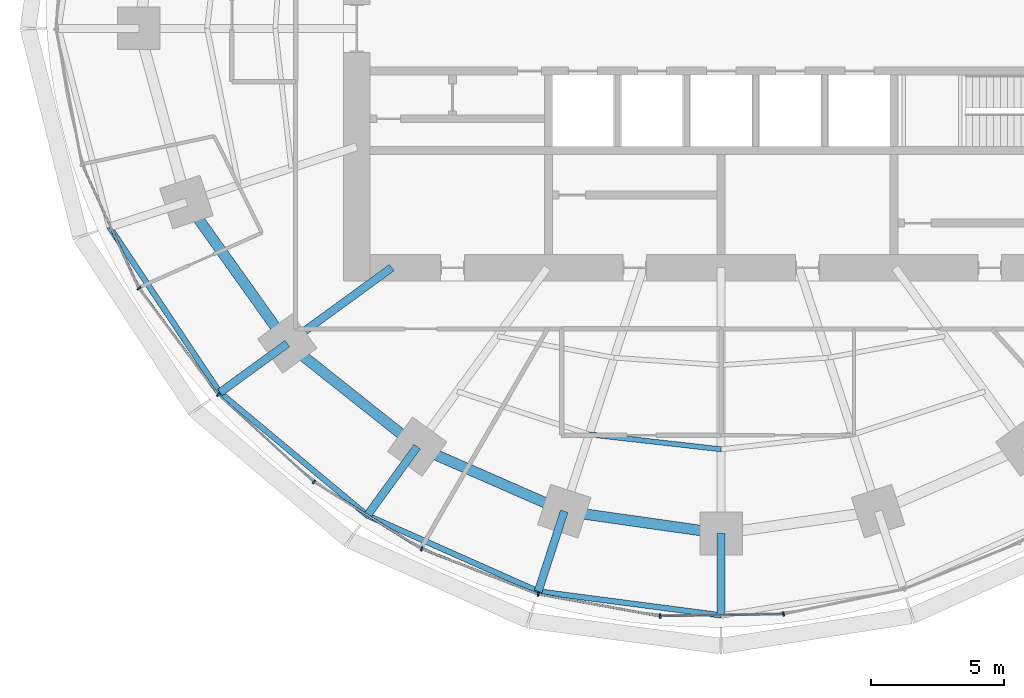
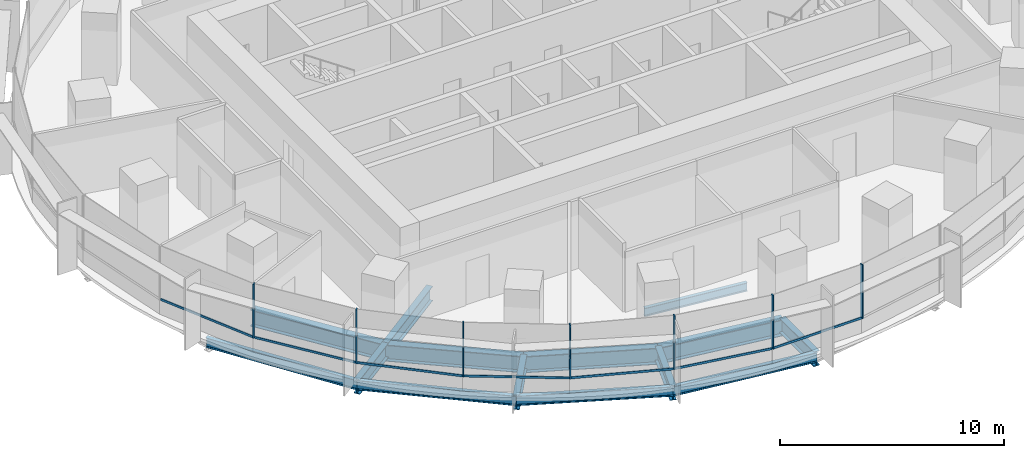
# One storey, part 2 of 14: 14 beams, 14 members, 2 elements without a shape of their own.
"""IFC4 building model written with IfcOpenShell, lengths in metres."""

from ifc_helpers import new_model, si_unit, direction, frame, origin, origin_2d, place, context, subcontext, project, spatial, rectangle, i_section, extrude, material, material_profile, profile_set, type_object, element, aggregate, save


model = new_model("IFC4")

# Units and contexts
model_context = context("Model", 3, precision=1e-05, world=origin(), true_north=direction((0.0, 1.0)))
body_context = subcontext(model_context, "Body", "Model", "MODEL_VIEW")
ifc_project = project(units=[si_unit("LENGTHUNIT", "METRE"), si_unit("AREAUNIT", "SQUARE_METRE"), si_unit("VOLUMEUNIT", "CUBIC_METRE"), si_unit("PLANEANGLEUNIT", "RADIAN"), si_unit("MASSUNIT", "GRAM", prefix="KILO")], contexts=[model_context])

# Site, building, storey
site_placement = place(None, origin())
site = spatial("IfcSite", under=ifc_project, at=site_placement, CompositionType="ELEMENT")
building_placement = place(site_placement, origin())
building = spatial("IfcBuilding", under=site, at=building_placement, Name="Marramba Exchange Tower", CompositionType="ELEMENT")
storey_placement = place(building_placement, frame((0.0, 0.0, 123.60009765625)))
storey = spatial("IfcBuildingStorey", under=building, at=storey_placement, Name="L29", CompositionType="ELEMENT", Elevation=123.60009765625)

# Beams
ifc_material_1 = material(Name="Steel AS/NZS 3679.2 grade 300", Category="steel")
ifc_material_profile_1 = material_profile(ifc_material_1, i_section(OverallWidth=0.300048828125, OverallDepth=0.800048828125, WebThickness=0.013916015625, FlangeThickness=0.031982421875, at=origin_2d()), Name="800WB192")
ifc_profile_set_1 = profile_set([ifc_material_profile_1], Name="Steel AS/NZS 3679.2 grade 300")
beam_type_1 = type_object("IfcBeamType", Name="Cantilever girder 800WB192", PredefinedType="BEAM", material=ifc_profile_set_1)
beam_1_placement = place(storey_placement, frame((-16.3154296875, -11.853759765625, -0.56005859375), z_axis=(-0.809025813822, -0.587773113173, 0.0), x_axis=(0.587773113173, -0.809025813822, 0.0)))
element("IfcBeam", 1, at=beam_1_placement, inside=storey, type_object=beam_type_1, Name="Cantilever girder L29 TC13", PredefinedType="BEAM", context=body_context, shape_type="SweptSolid", body=[
    extrude(i_section(OverallWidth=0.300048828125, OverallDepth=0.800048828125, WebThickness=0.013916015625, FlangeThickness=0.031982421875, at=origin_2d()), origin(), (0.0, 0.0, 1.0), 3.132568359375),
])
beam_2_placement = place(storey_placement, frame((-11.430419921875, -15.732666015625, -0.56005859375), z_axis=(-0.587767308424, -0.809030031054, 0.0), x_axis=(0.809030031054, -0.587767308424, 0.0)))
element("IfcBeam", 2, at=beam_2_placement, inside=storey, type_object=beam_type_1, Name="Cantilever girder L29 TC14", PredefinedType="BEAM", context=body_context, shape_type="SweptSolid", body=[
    extrude(i_section(OverallWidth=0.300048828125, OverallDepth=0.800048828125, WebThickness=0.013916015625, FlangeThickness=0.031982421875, at=origin_2d()), origin(), (0.0, 0.0, 1.0), 3.195556640625),
])
beam_3_placement = place(storey_placement, frame((-5.899658203125, -18.156982421875, -0.56005859375), z_axis=(-0.309018232614, -0.951056113966, 0.0), x_axis=(0.951056113966, -0.309018232614, 0.0)))
element("IfcBeam", 3, at=beam_3_placement, inside=storey, type_object=beam_type_1, Name="Cantilever girder L29 TC15", PredefinedType="BEAM", context=body_context, shape_type="SweptSolid", body=[
    extrude(i_section(OverallWidth=0.300048828125, OverallDepth=0.800048828125, WebThickness=0.013916015625, FlangeThickness=0.031982421875, at=origin_2d()), origin(), (0.0, 0.0, 1.0), 3.173583984375),
])
beam_4_placement = place(storey_placement, frame((0.0, -18.99609375, -0.56005859375), z_axis=(0.0, -1.0, 0.0), x_axis=(1.0, 0.0, 0.0)))
element("IfcBeam", 4, at=beam_4_placement, inside=storey, type_object=beam_type_1, Name="Cantilever girder L29 TC16", PredefinedType="BEAM", context=body_context, shape_type="SweptSolid", body=[
    extrude(i_section(OverallWidth=0.300048828125, OverallDepth=0.800048828125, WebThickness=0.013916015625, FlangeThickness=0.031982421875, at=origin_2d()), origin(), (0.0, 0.0, 1.0), 3.080810546875),
])
ifc_material_2 = material(Name="Steel AS/NZS 3679.1 grade 300", Category="steel")
ifc_material_profile_2 = material_profile(ifc_material_2, i_section(OverallWidth=0.18994140625, OverallDepth=0.4541015625, WebThickness=0.008544921875, FlangeThickness=0.0126953125, FilletRadius=0.011474609375, at=origin_2d()), Name="460UB67.1")
ifc_profile_set_2 = profile_set([ifc_material_profile_2], Name="Steel AS/NZS 3679.1 grade 300")
beam_type_2 = type_object("IfcBeamType", Name="Floor joist 460UB67.1", PredefinedType="JOIST", material=ifc_profile_set_2)
beam_5_placement = place(storey_placement, frame((-4.9619140625, -15.271484375, -0.38720703125), z_axis=(0.993712018573, -0.111966174106, 0.0), x_axis=(0.111966174106, 0.993712018573, 0.0)))
element("IfcBeam", 5, at=beam_5_placement, inside=storey, type_object=beam_type_2, Name="Joist L29 bay 15 row 2", PredefinedType="JOIST", context=body_context, shape_type="SweptSolid", body=[
    extrude(i_section(OverallWidth=0.18994140625, OverallDepth=0.4541015625, WebThickness=0.008544921875, FlangeThickness=0.0126953125, FilletRadius=0.011474609375, at=origin_2d()), origin(), (0.0, 0.0, 1.0), 4.993408203125),
])

# Curtain wall, members
ifc_material_3 = material(Name="Aluminium framing, bronze anodised", Category="aluminium")
curtain_wall_type = type_object("IfcCurtainWallType", Name="Office ribbon curtain wall", PredefinedType="USERDEFINED", material=ifc_material_3)
curtain_wall_1_placement = place(storey_placement, origin())
curtain_wall_1 = element("IfcCurtainWall", 6, at=curtain_wall_1_placement, inside=storey, type_object=curtain_wall_type, Name="Curtain wall CW4 L29 F16-F20", ObjectType="RIBBON CURTAIN WALL", PredefinedType="USERDEFINED")
ifc_material_4 = material(Name="Aluminium mullion, bronze anodised", Category="aluminium")
ifc_material_profile_3 = material_profile(ifc_material_4, rectangle(XDim=0.159912109375, YDim=0.06005859375, at=origin_2d()), Name="CW4 mullion 60x160")
ifc_profile_set_3 = profile_set([ifc_material_profile_3], Name="Aluminium mullion, bronze anodised")
member_type_1 = type_object("IfcMemberType", Name="Office ribbon curtain wall mullion", PredefinedType="MULLION", material=ifc_profile_set_3)
member_1_placement = place(storey_placement, frame((-21.891357421875, -9.778564453125, 0.7998046875), z_axis=(0.0, 0.0, 1.0), x_axis=(0.802014400683, 0.597304697033, 0.0)))
member_1 = element("IfcMember", 7, at=member_1_placement, type_object=member_type_1, Name="CW4 mullion 1", PredefinedType="MULLION", context=body_context, shape_type="SweptSolid", body=[
    extrude(rectangle(XDim=0.159912109375, YDim=0.06005859375, at=origin_2d()), origin(), (0.0, 0.0, 1.0), 2.940185546875),
])
member_2_placement = place(storey_placement, frame((-18.90869140625, -13.774169921875, 0.7998046875), z_axis=(0.0, 0.0, 1.0), x_axis=(0.674995455115, 0.737821886077, 0.0)))
member_2 = element("IfcMember", 8, at=member_2_placement, type_object=member_type_1, Name="CW4 mullion 1", PredefinedType="MULLION", context=body_context, shape_type="SweptSolid", body=[
    extrude(rectangle(XDim=0.159912109375, YDim=0.06005859375, at=origin_2d()), origin(), (0.0, 0.0, 1.0), 2.940185546875),
])
member_3_placement = place(storey_placement, frame((-15.315673828125, -17.053955078125, 0.7998046875), z_axis=(0.0, 0.0, 1.0), x_axis=(0.52942844364, 0.84835459748, 0.0)))
member_3 = element("IfcMember", 9, at=member_3_placement, type_object=member_type_1, Name="CW4 mullion 1", PredefinedType="MULLION", context=body_context, shape_type="SweptSolid", body=[
    extrude(rectangle(XDim=0.159912109375, YDim=0.06005859375, at=origin_2d()), origin(), (0.0, 0.0, 1.0), 2.940185546875),
])

curtain_wall_2_placement = place(storey_placement, origin())
curtain_wall_2 = element("IfcCurtainWall", 10, at=curtain_wall_2_placement, inside=storey, type_object=curtain_wall_type, Name="Curtain wall CW4 L29 F21-F25", ObjectType="RIBBON CURTAIN WALL", PredefinedType="USERDEFINED")
member_4_placement = place(storey_placement, frame((-11.266845703125, -19.573974609375, 0.7998046875), z_axis=(0.0, 0.0, 1.0), x_axis=(0.36292490603, 0.931818390344, 0.0)))
member_4 = element("IfcMember", 11, at=member_4_placement, type_object=member_type_1, Name="CW4 mullion 1", PredefinedType="MULLION", context=body_context, shape_type="SweptSolid", body=[
    extrude(rectangle(XDim=0.159912109375, YDim=0.06005859375, at=origin_2d()), origin(), (0.0, 0.0, 1.0), 2.940185546875),
])
member_5_placement = place(storey_placement, frame((-6.881591796875, -21.27587890625, 0.7998046875), z_axis=(0.0, 0.0, 1.0), x_axis=(0.177992379115, 0.984031865834, 0.0)))
member_5 = element("IfcMember", 12, at=member_5_placement, type_object=member_type_1, Name="CW4 mullion 1", PredefinedType="MULLION", context=body_context, shape_type="SweptSolid", body=[
    extrude(rectangle(XDim=0.159912109375, YDim=0.06005859375, at=origin_2d()), origin(), (0.0, 0.0, 1.0), 2.940185546875),
])
member_6_placement = place(storey_placement, frame((-2.292724609375, -22.099853515625, 0.7998046875), z_axis=(0.0, 0.0, 1.0), x_axis=(-0.015178646521, 0.999884797709, 0.0)))
member_6 = element("IfcMember", 13, at=member_6_placement, type_object=member_type_1, Name="CW4 mullion 1", PredefinedType="MULLION", context=body_context, shape_type="SweptSolid", body=[
    extrude(rectangle(XDim=0.159912109375, YDim=0.06005859375, at=origin_2d()), origin(), (0.0, 0.0, 1.0), 2.940185546875),
])
member_7_placement = place(storey_placement, frame((2.3447265625, -22.02392578125, 0.7998046875), z_axis=(0.0, 0.0, 1.0), x_axis=(-0.202364850159, 0.979310199794, 0.0)))
member_7 = element("IfcMember", 14, at=member_7_placement, type_object=member_type_1, Name="CW4 mullion 1", PredefinedType="MULLION", context=body_context, shape_type="SweptSolid", body=[
    extrude(rectangle(XDim=0.159912109375, YDim=0.06005859375, at=origin_2d()), origin(), (0.0, 0.0, 1.0), 2.940185546875),
])

# Member
ifc_material_5 = material(Name="Aluminium transom, bronze anodised", Category="aluminium")
ifc_material_profile_4 = material_profile(ifc_material_5, rectangle(XDim=0.06005859375, YDim=0.1201171875, at=origin_2d()), Name="CW4 transom 60x120")
ifc_profile_set_4 = profile_set([ifc_material_profile_4], Name="Aluminium transom, bronze anodised")
member_type_2 = type_object("IfcMemberType", Name="Office ribbon curtain wall transom", PredefinedType="USERDEFINED", material=ifc_profile_set_4)
member_8_placement = place(storey_placement, frame((-24.013671875, -5.1640625, 0.829833984375), z_axis=(0.416732948599, -0.909028959688, 0.0), x_axis=(0.909028959688, 0.416732948599, 0.0)))
member_8 = element("IfcMember", 15, at=member_8_placement, type_object=member_type_2, Name="CW4 sill transom", ObjectType="TRANSOM", PredefinedType="USERDEFINED", context=body_context, shape_type="SweptSolid", body=[
    extrude(rectangle(XDim=0.06005859375, YDim=0.1201171875, at=origin_2d()), origin(), (0.0, 0.0, 1.0), 5.050048828125),
])

member_9_placement = place(storey_placement, frame((-21.873291015625, -9.802734375, 0.829833984375), z_axis=(0.597300736643, -0.80201735019, 0.0), x_axis=(0.80201735019, 0.597300736643, 0.0)))
member_9 = element("IfcMember", 16, at=member_9_placement, type_object=member_type_2, Name="CW4 sill transom", ObjectType="TRANSOM", PredefinedType="USERDEFINED", context=body_context, shape_type="SweptSolid", body=[
    extrude(rectangle(XDim=0.06005859375, YDim=0.1201171875, at=origin_2d()), origin(), (0.0, 0.0, 1.0), 4.926513671875),
])

member_10_placement = place(storey_placement, frame((-18.886474609375, -13.79443359375, 0.829833984375), z_axis=(0.737807565469, -0.675011108306, 0.0), x_axis=(0.675011108306, 0.737807565469, 0.0)))
member_10 = element("IfcMember", 17, at=member_10_placement, type_object=member_type_2, Name="CW4 sill transom", ObjectType="TRANSOM", PredefinedType="USERDEFINED", context=body_context, shape_type="SweptSolid", body=[
    extrude(rectangle(XDim=0.06005859375, YDim=0.1201171875, at=origin_2d()), origin(), (0.0, 0.0, 1.0), 4.805419921875),
])

member_11_placement = place(storey_placement, frame((-15.2900390625, -17.06982421875, 0.829833984375), z_axis=(0.848373790728, -0.529397687193, 0.0), x_axis=(0.529397687193, 0.848373790728, 0.0)))
member_11 = element("IfcMember", 18, at=member_11_placement, type_object=member_type_2, Name="CW4 sill transom", ObjectType="TRANSOM", PredefinedType="USERDEFINED", context=body_context, shape_type="SweptSolid", body=[
    extrude(rectangle(XDim=0.06005859375, YDim=0.1201171875, at=origin_2d()), origin(), (0.0, 0.0, 1.0), 4.70947265625),
])

aggregate(curtain_wall_1, [member_8, member_1, member_9, member_2, member_10, member_3, member_11])

member_12_placement = place(storey_placement, frame((-11.23876953125, -19.5849609375, 0.829833984375), z_axis=(0.931817106708, -0.362928201778, 0.0), x_axis=(0.362928201778, 0.931817106708, 0.0)))
member_12 = element("IfcMember", 19, at=member_12_placement, type_object=member_type_2, Name="CW4 sill transom", ObjectType="TRANSOM", PredefinedType="USERDEFINED", context=body_context, shape_type="SweptSolid", body=[
    extrude(rectangle(XDim=0.06005859375, YDim=0.1201171875, at=origin_2d()), origin(), (0.0, 0.0, 1.0), 4.644287109375),
])

member_13_placement = place(storey_placement, frame((-6.85205078125, -21.281005859375, 0.829833984375), z_axis=(0.98402906811, -0.178007845654, 0.0), x_axis=(0.178007845654, 0.98402906811, 0.0)))
member_13 = element("IfcMember", 20, at=member_13_placement, type_object=member_type_2, Name="CW4 sill transom", ObjectType="TRANSOM", PredefinedType="USERDEFINED", context=body_context, shape_type="SweptSolid", body=[
    extrude(rectangle(XDim=0.06005859375, YDim=0.1201171875, at=origin_2d()), origin(), (0.0, 0.0, 1.0), 4.602783203125),
])

member_14_placement = place(storey_placement, frame((-2.262939453125, -22.099365234375, 0.829833984375), z_axis=(0.999885345665, 0.015142507235, 0.0), x_axis=(-0.015142507235, 0.999885345665, 0.0)))
member_14 = element("IfcMember", 21, at=member_14_placement, type_object=member_type_2, Name="CW4 sill transom", ObjectType="TRANSOM", PredefinedType="USERDEFINED", context=body_context, shape_type="SweptSolid", body=[
    extrude(rectangle(XDim=0.06005859375, YDim=0.1201171875, at=origin_2d()), origin(), (0.0, 0.0, 1.0), 4.578857421875),
])

aggregate(curtain_wall_2, [member_4, member_12, member_5, member_13, member_6, member_14, member_7])

# Beams
ifc_material_profile_5 = material_profile(ifc_material_1, i_section(OverallWidth=0.300048828125, OverallDepth=0.800048828125, WebThickness=0.013916015625, FlangeThickness=0.031982421875, at=origin_2d()), Name="800WB192")
ifc_profile_set_5 = profile_set([ifc_material_profile_5], Name="Steel AS/NZS 3679.2 grade 300")
beam_type_3 = type_object("IfcBeamType", Name="Radial girder 800WB192", PredefinedType="BEAM", material=ifc_profile_set_5)
beam_6_placement = place(storey_placement, frame((-12.387451171875, -9.0, -0.56005859375), z_axis=(-0.809025189606, -0.58777397236, 0.0), x_axis=(0.58777397236, -0.809025189606, 0.0)))
element("IfcBeam", 22, at=beam_6_placement, inside=storey, type_object=beam_type_3, Name="Radial girder L29 TC13", PredefinedType="BEAM", context=body_context, shape_type="SweptSolid", body=[
    extrude(i_section(OverallWidth=0.300048828125, OverallDepth=0.800048828125, WebThickness=0.013916015625, FlangeThickness=0.031982421875, at=origin_2d()), origin(), (0.0, 0.0, 1.0), 4.855224609375),
])
ifc_material_profile_6 = material_profile(ifc_material_1, i_section(OverallWidth=0.39990234375, OverallDepth=0.89990234375, WebThickness=0.01611328125, FlangeThickness=0.031982421875, at=origin_2d()), Name="900WB282")
ifc_profile_set_6 = profile_set([ifc_material_profile_6], Name="Steel AS/NZS 3679.2 grade 300")
beam_type_4 = type_object("IfcBeamType", Name="Ring beam 900WB282", PredefinedType="SPANDREL", material=ifc_profile_set_6)
beam_7_placement = place(storey_placement, frame((-20.109375, -6.533935546875, -0.610107421875), z_axis=(0.580637181111, -0.814162430914, 0.0), x_axis=(0.814162430914, 0.580637181111, 0.0)))
element("IfcBeam", 23, at=beam_7_placement, inside=storey, type_object=beam_type_4, Name="Ring beam L29 TC12-TC13", PredefinedType="SPANDREL", context=body_context, shape_type="SweptSolid", body=[
    extrude(i_section(OverallWidth=0.39990234375, OverallDepth=0.89990234375, WebThickness=0.01611328125, FlangeThickness=0.031982421875, at=origin_2d()), origin(), (0.0, 0.0, 1.0), 6.5341796875),
])
beam_8_placement = place(storey_placement, frame((-16.3154296875, -11.853759765625, -0.610107421875), z_axis=(0.783139438128, -0.621846138887, 0.0), x_axis=(0.621846138887, 0.783139438128, 0.0)))
element("IfcBeam", 24, at=beam_8_placement, inside=storey, type_object=beam_type_4, Name="Ring beam L29 TC13-TC14", PredefinedType="SPANDREL", context=body_context, shape_type="SweptSolid", body=[
    extrude(i_section(OverallWidth=0.39990234375, OverallDepth=0.89990234375, WebThickness=0.01611328125, FlangeThickness=0.031982421875, at=origin_2d()), origin(), (0.0, 0.0, 1.0), 6.23779296875),
])
beam_9_placement = place(storey_placement, frame((-11.430419921875, -15.732666015625, -0.610107421875), z_axis=(0.915876892158, -0.4014592363, 0.0), x_axis=(0.4014592363, 0.915876892158, 0.0)))
element("IfcBeam", 25, at=beam_9_placement, inside=storey, type_object=beam_type_4, Name="Ring beam L29 TC14-TC15", PredefinedType="SPANDREL", context=body_context, shape_type="SweptSolid", body=[
    extrude(i_section(OverallWidth=0.39990234375, OverallDepth=0.89990234375, WebThickness=0.01611328125, FlangeThickness=0.031982421875, at=origin_2d()), origin(), (0.0, 0.0, 1.0), 6.038818359375),
])
beam_10_placement = place(storey_placement, frame((-5.899658203125, -18.156982421875, -0.610107421875), z_axis=(0.990036163016, -0.140813337152, 0.0), x_axis=(0.140813337152, 0.990036163016, 0.0)))
element("IfcBeam", 26, at=beam_10_placement, inside=storey, type_object=beam_type_4, Name="Ring beam L29 TC15-TC16", PredefinedType="SPANDREL", context=body_context, shape_type="SweptSolid", body=[
    extrude(i_section(OverallWidth=0.39990234375, OverallDepth=0.89990234375, WebThickness=0.01611328125, FlangeThickness=0.031982421875, at=origin_2d()), origin(), (0.0, 0.0, 1.0), 5.958984375),
])
ifc_material_profile_7 = material_profile(ifc_material_2, i_section(OverallWidth=0.208984375, OverallDepth=0.528076171875, WebThickness=0.009521484375, FlangeThickness=0.01318359375, FilletRadius=0.013916015625, at=origin_2d()), Name="530UB82.0")
ifc_profile_set_7 = profile_set([ifc_material_profile_7], Name="Steel AS/NZS 3679.1 grade 300")
beam_type_5 = type_object("IfcBeamType", Name="Slab edge beam 530UB82.0", PredefinedType="SPANDREL", material=ifc_profile_set_7)
beam_11_placement = place(storey_placement, frame((-23.00341796875, -7.47412109375, -0.424072265625), z_axis=(0.555280023791, -0.831663450669, 0.0), x_axis=(0.831663450669, 0.555280023791, 0.0)))
element("IfcBeam", 27, at=beam_11_placement, inside=storey, type_object=beam_type_5, Name="Slab edge beam L29 TC12-TC13", PredefinedType="SPANDREL", context=body_context, shape_type="SweptSolid", body=[
    extrude(i_section(OverallWidth=0.208984375, OverallDepth=0.528076171875, WebThickness=0.009521484375, FlangeThickness=0.01318359375, FilletRadius=0.013916015625, at=origin_2d()), origin(), (0.0, 0.0, 1.0), 7.480224609375),
])
beam_12_placement = place(storey_placement, frame((-18.849853515625, -13.695068359375, -0.424072265625), z_axis=(0.767874532322, -0.640600267415, 0.0), x_axis=(0.640600267415, 0.767874532322, 0.0)))
element("IfcBeam", 28, at=beam_12_placement, inside=storey, type_object=beam_type_5, Name="Slab edge beam L29 TC13-TC14", PredefinedType="SPANDREL", context=body_context, shape_type="SweptSolid", body=[
    extrude(i_section(OverallWidth=0.208984375, OverallDepth=0.528076171875, WebThickness=0.009521484375, FlangeThickness=0.01318359375, FilletRadius=0.013916015625, at=origin_2d()), origin(), (0.0, 0.0, 1.0), 7.21630859375),
])
beam_13_placement = place(storey_placement, frame((-13.30859375, -18.31787109375, -0.424072265625), z_axis=(0.913788648873, -0.406189986571, 0.0), x_axis=(0.406189986571, 0.913788648873, 0.0)))
element("IfcBeam", 29, at=beam_13_placement, inside=storey, type_object=beam_type_5, Name="Slab edge beam L29 TC14-TC15", PredefinedType="SPANDREL", context=body_context, shape_type="SweptSolid", body=[
    extrude(i_section(OverallWidth=0.208984375, OverallDepth=0.528076171875, WebThickness=0.009521484375, FlangeThickness=0.01318359375, FilletRadius=0.013916015625, at=origin_2d()), origin(), (0.0, 0.0, 1.0), 7.03466796875),
])
beam_14_placement = place(storey_placement, frame((-6.88037109375, -21.17529296875, -0.424072265625), z_axis=(0.991523133546, -0.129930272237, 0.0), x_axis=(0.129930272237, 0.991523133546, 0.0)))
element("IfcBeam", 30, at=beam_14_placement, inside=storey, type_object=beam_type_5, Name="Slab edge beam L29 TC15-TC16", PredefinedType="SPANDREL", context=body_context, shape_type="SweptSolid", body=[
    extrude(i_section(OverallWidth=0.208984375, OverallDepth=0.528076171875, WebThickness=0.009521484375, FlangeThickness=0.01318359375, FilletRadius=0.013916015625, at=origin_2d()), origin(), (0.0, 0.0, 1.0), 6.939208984375),
])

save(model, "model.ifc")
